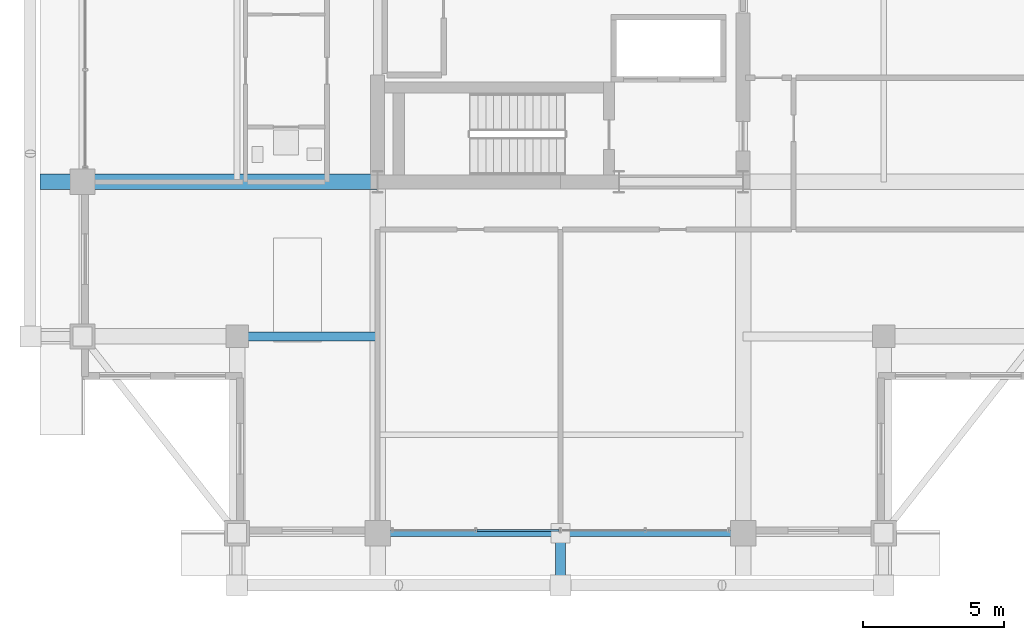
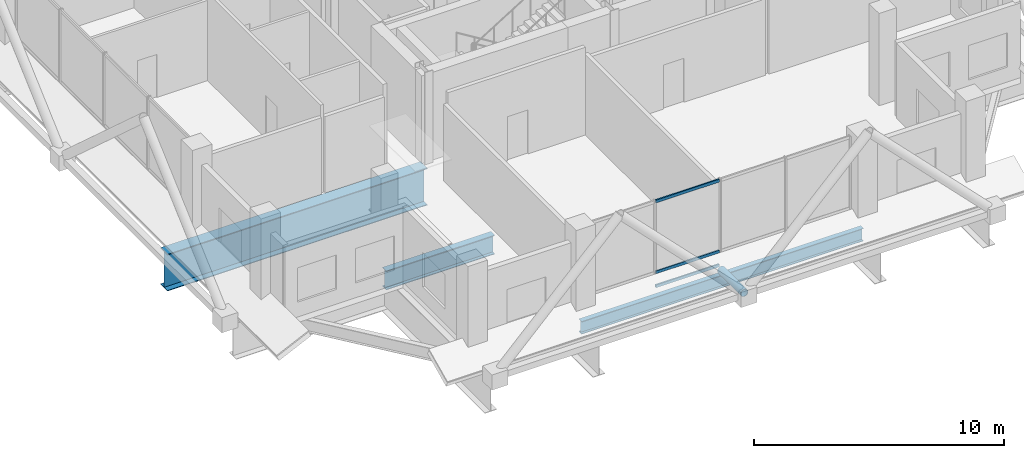
# One storey, part 5 of 27: 4 members, 3 beams, 1 element without a shape of its own.
"""IFC4 building model written with IfcOpenShell, lengths in metres."""

from ifc_helpers import new_model, si_unit, direction, frame, origin, origin_2d, place, context, subcontext, project, spatial, hollow_rectangle, hollow_circle, i_section, extrude, material, layer, layer_set, material_profile, profile_set, type_object, element, aggregate, save


model = new_model("IFC4")

# Units and contexts
model_context = context("Model", 3, precision=1e-05, world=origin(), true_north=direction((0.0, 1.0)))
body_context = subcontext(model_context, "Body", "Model", "MODEL_VIEW")
ifc_project = project(units=[si_unit("LENGTHUNIT", "METRE"), si_unit("AREAUNIT", "SQUARE_METRE"), si_unit("VOLUMEUNIT", "CUBIC_METRE"), si_unit("PLANEANGLEUNIT", "RADIAN"), si_unit("MASSUNIT", "GRAM", prefix="KILO")], contexts=[model_context])

# Site, building, storey
site_placement = place(None, origin())
site = spatial("IfcSite", under=ifc_project, at=site_placement, CompositionType="ELEMENT")
building_placement = place(site_placement, origin())
building = spatial("IfcBuilding", under=site, at=building_placement, Name="Barlavira Tower and Art Museum", CompositionType="ELEMENT")
storey_placement = place(building_placement, frame((0.0, 0.0, 217.800048828125)))
storey = spatial("IfcBuildingStorey", under=building, at=storey_placement, Name="L56", CompositionType="ELEMENT", Elevation=217.800048828125)

# Curtain wall, members
ifc_material_1 = material(Name="Low-iron coastal laminated glass", Category="glass")
ifc_layer = layer(ifc_material_1, 0.2099609375, Name="Low-iron coastal laminated glass")
ifc_layer_set = layer_set([ifc_layer], Name="Low-iron coastal laminated glass")
curtain_wall_type = type_object("IfcCurtainWallType", Name="Pale-Metal Unitised Curtain Wall Zone 4", PredefinedType="NOTDEFINED", material=ifc_layer_set)
curtain_wall_placement = place(storey_placement, origin())
curtain_wall = element("IfcCurtainWall", 1, at=curtain_wall_placement, inside=storey, type_object=curtain_wall_type, Name="L56 Curtain Wall CW4-L56-S-B2", PredefinedType="NOTDEFINED")
ifc_material_2 = material(Name="Pale anodised aluminium", Category="aluminium")
ifc_material_profile_1 = material_profile(ifc_material_2, hollow_rectangle(XDim=0.06494140625, YDim=0.139892578125, WallThickness=0.00390625, at=origin_2d()), Name="ALU-TRAN 65x140x4")
ifc_profile_set_1 = profile_set([ifc_material_profile_1], Name="Pale anodised aluminium")
member_type_1 = type_object("IfcMemberType", Name="Curtain Wall Pale-Metal Transom 65x140", PredefinedType="USERDEFINED", material=ifc_profile_set_1)
member_1_placement = place(storey_placement, frame((-2.969970703125, -19.89990234375, 0.070068359375), z_axis=(1.0, 0.0, 0.0), x_axis=(0.0, 1.0, 0.0)))
member_1 = element("IfcMember", 2, at=member_1_placement, type_object=member_type_1, Name="CW4-L56-S-B2 Transom 1.1", ObjectType="TRANSOM", PredefinedType="USERDEFINED", context=body_context, shape_type="SweptSolid", body=[
    extrude(hollow_rectangle(XDim=0.06494140625, YDim=0.139892578125, WallThickness=0.00390625, at=origin_2d()), origin(), (0.0, 0.0, 1.0), 2.925048828125),
])
member_2_placement = place(storey_placement, frame((-2.969970703125, -19.89990234375, 0.75), z_axis=(1.0, 0.0, 0.0), x_axis=(0.0, 1.0, 0.0)))
member_2 = element("IfcMember", 3, at=member_2_placement, type_object=member_type_1, Name="CW4-L56-S-B2 Transom 1.2", ObjectType="TRANSOM", PredefinedType="USERDEFINED", context=body_context, shape_type="SweptSolid", body=[
    extrude(hollow_rectangle(XDim=0.06494140625, YDim=0.139892578125, WallThickness=0.00390625, at=origin_2d()), origin(), (0.0, 0.0, 1.0), 2.925048828125),
])
member_3_placement = place(storey_placement, frame((-2.969970703125, -19.89990234375, 4.2099609375), z_axis=(1.0, 0.0, 0.0), x_axis=(0.0, 1.0, 0.0)))
member_3 = element("IfcMember", 4, at=member_3_placement, type_object=member_type_1, Name="CW4-L56-S-B2 Transom 1.3", ObjectType="TRANSOM", PredefinedType="USERDEFINED", context=body_context, shape_type="SweptSolid", body=[
    extrude(hollow_rectangle(XDim=0.06494140625, YDim=0.139892578125, WallThickness=0.00390625, at=origin_2d()), origin(), (0.0, 0.0, 1.0), 2.925048828125),
])
aggregate(curtain_wall, [member_1, member_2, member_3])

# Member
ifc_material_3 = material(Name="Steel S355", Category="steel")
ifc_material_profile_2 = material_profile(ifc_material_3, hollow_circle(Radius=0.177734375, WallThickness=0.01611328125, at=origin_2d()), Name="CHS 355.6x16.0")
ifc_profile_set_2 = profile_set([ifc_material_profile_2], Name="Steel S355")
member_type_2 = type_object("IfcMemberType", Name="Pale-Metal Exoskeleton Tie Strut CHS 356x16 Steel S355", PredefinedType="STRUT", material=ifc_profile_set_2)
member_4_placement = place(storey_placement, frame((0.0, -21.85009765625, -0.1201171875), z_axis=(0.0, 1.0, 0.0), x_axis=(-1.0, 0.0, 0.0)))
element("IfcMember", 5, at=member_4_placement, inside=storey, type_object=member_type_2, Name="L56 Exoskeleton Tie Strut S2", PredefinedType="STRUT", context=body_context, shape_type="SweptSolid", body=[
    extrude(hollow_circle(Radius=0.177734375, WallThickness=0.01611328125, at=origin_2d()), origin(), (0.0, 0.0, 1.0), 1.85009765625),
])

# Beams
ifc_material_profile_3 = material_profile(ifc_material_3, i_section(OverallWidth=0.30908203125, OverallDepth=0.931884765625, WebThickness=0.01953125, FlangeThickness=0.034423828125, at=origin_2d()), Name="W920x313.0")
ifc_profile_set_3 = profile_set([ifc_material_profile_3], Name="Steel S355")
beam_type_1 = type_object("IfcBeamType", Name="Setback Ring Girder W920x313 Steel S355", PredefinedType="BEAM", material=ifc_profile_set_3)
beam_1_placement = place(storey_placement, frame((-11.5, -13.0, -0.76611328125), z_axis=(1.0, 0.0, 0.0), x_axis=(0.0, 1.0, 0.0)))
element("IfcBeam", 6, at=beam_1_placement, inside=storey, type_object=beam_type_1, Name="L56 Girder I-S2", PredefinedType="BEAM", context=body_context, shape_type="SweptSolid", body=[
    extrude(i_section(OverallWidth=0.30908203125, OverallDepth=0.931884765625, WebThickness=0.01953125, FlangeThickness=0.034423828125, at=origin_2d()), origin(), (0.0, 0.0, 1.0), 5.0),
])
ifc_material_profile_4 = material_profile(ifc_material_3, i_section(OverallWidth=0.22998046875, OverallDepth=0.616943359375, WebThickness=0.01318359375, FlangeThickness=0.022216796875, at=origin_2d()), Name="W610x140.0")
ifc_profile_set_4 = profile_set([ifc_material_profile_4], Name="Steel S355")
beam_type_2 = type_object("IfcBeamType", Name="Upper Shaft Spandrel Edge Beam W610x140 Steel S355", PredefinedType="SPANDREL", material=ifc_profile_set_4)
beam_2_placement = place(storey_placement, frame((-6.5, -20.0, -0.608642578125), z_axis=(1.0, 0.0, 0.0), x_axis=(0.0, 1.0, 0.0)))
element("IfcBeam", 7, at=beam_2_placement, inside=storey, type_object=beam_type_2, Name="L56 Spandrel 2", PredefinedType="SPANDREL", context=body_context, shape_type="SweptSolid", body=[
    extrude(i_section(OverallWidth=0.22998046875, OverallDepth=0.616943359375, WebThickness=0.01318359375, FlangeThickness=0.022216796875, at=origin_2d()), origin(), (0.0, 0.0, 1.0), 13.0),
])
ifc_material_profile_5 = material_profile(ifc_material_3, i_section(OverallWidth=0.550048828125, OverallDepth=1.800048828125, WebThickness=0.02587890625, FlangeThickness=0.033935546875, at=origin_2d()), Name="CVS1800x520")
ifc_profile_set_5 = profile_set([ifc_material_profile_5], Name="Steel S355")
beam_type_3 = type_object("IfcBeamType", Name="Zone Setback Transfer Girder CVS1800x520 Steel S355", PredefinedType="USERDEFINED", material=ifc_profile_set_5)
beam_3_placement = place(storey_placement, frame((-18.5, -7.5, -1.199951171875), z_axis=(1.0, 0.0, 0.0), x_axis=(0.0, 1.0, 0.0)))
element("IfcBeam", 8, at=beam_3_placement, inside=storey, type_object=beam_type_3, Name="L56 Setback Transfer Girder TGL56-08A", ObjectType="TRANSFER GIRDER", PredefinedType="USERDEFINED", context=body_context, shape_type="SweptSolid", body=[
    extrude(i_section(OverallWidth=0.550048828125, OverallDepth=1.800048828125, WebThickness=0.02587890625, FlangeThickness=0.033935546875, at=origin_2d()), origin(), (0.0, 0.0, 1.0), 12.0),
])

save(model, "model.ifc")
